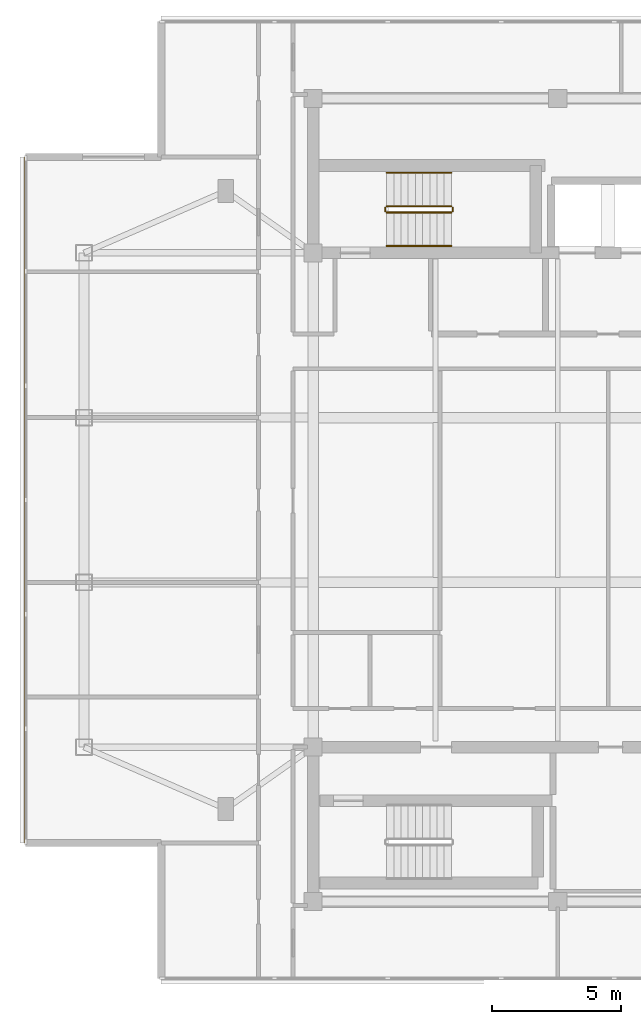
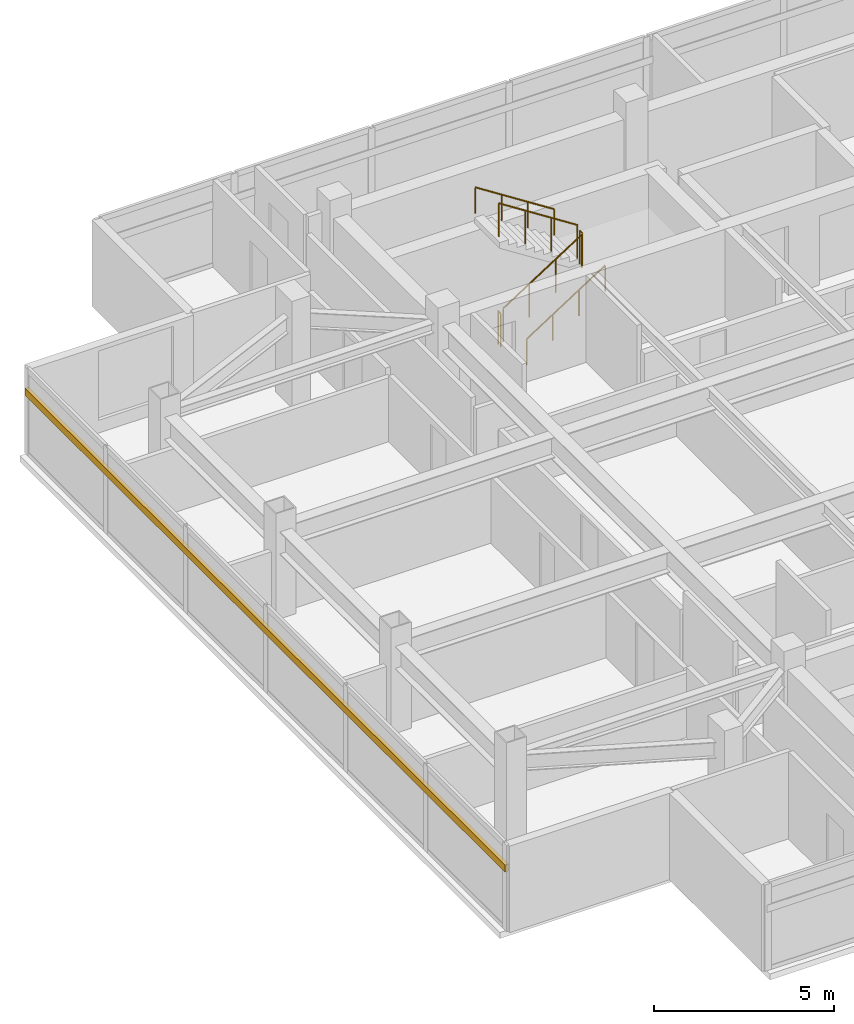
# One storey, part 10 of 11: 6 railings, 1 shading device.
"""IFC4 building model written with IfcOpenShell, lengths in metres."""

import ifcopenshell
import ifcopenshell.guid

model = None  # the IFC model being written
_history = None  # IfcOwnerHistory: only IFC2X3 demands one
_inside = {}  # id of a spatial element -> (the spatial element, [elements in it])
_under = {}  # id of a project, library or spatial element -> (it, [spatial elements below it])
_declared = {}  # id of a project -> (the project, [libraries it declares])
_typed = {}  # id of a type object -> (the type object, [elements of that type])
_made_of = {}  # id of a material, layer set ... -> (it, [elements and type objects made of it])


def new_model(schema):
    """Start an empty IFC model of exactly this schema.

    Asked for "IFC4X3", IfcOpenShell would pick the latest addendum, in which some entities
    have other attributes; the version numbers below select the first issue.
    IFC2X3 requires an IfcOwnerHistory on every rooted entity: one is made here for all.
    """
    global model, _history
    if schema == "IFC4X3":
        model = ifcopenshell.file(schema_version=(4, 3, 0, 0))
    else:
        model = ifcopenshell.file(schema=schema)
    _inside.clear()
    _under.clear()
    _declared.clear()
    _typed.clear()
    _made_of.clear()
    _history = None
    if model.schema == "IFC2X3":
        org = make("IfcOrganization", Name="unknown")
        user = make(
            "IfcPersonAndOrganization",
            ThePerson=make("IfcPerson", FamilyName="unknown"),
            TheOrganization=org,
        )
        app = make(
            "IfcApplication",
            ApplicationDeveloper=org,
            Version="unknown",
            ApplicationFullName="unknown",
            ApplicationIdentifier="unknown",
        )
        _history = make(
            "IfcOwnerHistory",
            OwningUser=user,
            OwningApplication=app,
            ChangeAction="ADDED",
            CreationDate=0,
        )
    return model


def make(cls, **values):
    """One entity of the class cls with the attributes given. An attribute that is None is left unset."""
    return model.create_entity(
        cls, **{name: value for name, value in values.items() if value is not None}
    )


def rooted(cls, **values):
    """An entity with a GlobalId (a new one), such as an element, a storey or a relation."""
    return make(cls, GlobalId=ifcopenshell.guid.new(), OwnerHistory=_history, **values)


def si_unit(unit_type, name, prefix=None):
    """IfcSIUnit, for example si_unit("LENGTHUNIT", "METRE", prefix="MILLI")."""
    return make("IfcSIUnit", UnitType=unit_type, Prefix=prefix, Name=name)


def assignment(units):
    """IfcUnitAssignment: the units of a project."""
    return None if units is None else make("IfcUnitAssignment", Units=units)


def point(xyz):
    """IfcCartesianPoint."""
    return None if xyz is None else make("IfcCartesianPoint", Coordinates=xyz)


def direction(xyz):
    """IfcDirection."""
    return None if xyz is None else make("IfcDirection", DirectionRatios=xyz)


def frame(location, z_axis=None, x_axis=None):
    """IfcAxis2Placement3D, a coordinate frame: its origin and axes. An axis left out is left unset."""
    return make(
        "IfcAxis2Placement3D",
        Location=point(location),
        Axis=direction(z_axis),
        RefDirection=direction(x_axis),
    )


def frame_2d(location, x_axis=None):
    """IfcAxis2Placement2D, a coordinate frame in the plane: its origin and x axis."""
    return make(
        "IfcAxis2Placement2D", Location=point(location), RefDirection=direction(x_axis)
    )


def origin():
    """The frame at (0, 0, 0) with its axes left unset."""
    return frame((0.0, 0.0, 0.0))


def origin_2d():
    """The frame at (0, 0) in the plane with its x axis left unset."""
    return frame_2d((0.0, 0.0))


def place(relative_to, where):
    """IfcLocalPlacement: puts the frame where relative to a parent placement (None: the world)."""
    return make(
        "IfcLocalPlacement", PlacementRelTo=relative_to, RelativePlacement=where
    )


def context(
    kind, dimensions, precision=None, world=None, true_north=None, identifier=None
):
    """IfcGeometricRepresentationContext, for example the 3D "Model" context."""
    return make(
        "IfcGeometricRepresentationContext",
        ContextIdentifier=identifier,
        ContextType=kind,
        CoordinateSpaceDimension=dimensions,
        Precision=precision,
        WorldCoordinateSystem=world,
        TrueNorth=true_north,
    )


def subcontext(parent, identifier, kind, view, scale=None):
    """IfcGeometricRepresentationSubContext, for example "Body" below "Model"."""
    return make(
        "IfcGeometricRepresentationSubContext",
        ContextIdentifier=identifier,
        ContextType=kind,
        ParentContext=parent,
        TargetScale=scale,
        TargetView=view,
    )


def project(units=None, contexts=None):
    """IfcProject with its units and contexts."""
    return rooted(
        "IfcProject",
        Name="project",
        RepresentationContexts=contexts,
        UnitsInContext=assignment(units),
    )


def spatial(cls, under=None, at=None, **own):
    """A site, building, storey or space (cls), placed at a placement, below another one or the project."""
    s = rooted(cls, ObjectPlacement=at, **own)
    if under is not None:
        _under.setdefault(under.id(), (under, []))[1].append(s)
    return s


def profile(cls, at=None, kind="AREA", **sizes):
    """A parametric profile (cls). Its sizes go by their IFC names, for example OverallWidth=200.0."""
    return make(cls, ProfileType=kind, Position=at, **sizes)


def rectangle(**sizes):
    """IfcRectangleProfileDef."""
    return profile("IfcRectangleProfileDef", **sizes)


def circle(**sizes):
    """IfcCircleProfileDef."""
    return profile("IfcCircleProfileDef", **sizes)


def extrude(swept, where, along, depth):
    """IfcExtrudedAreaSolid: the profile swept, set in the frame where, extruded along a direction by depth."""
    return make(
        "IfcExtrudedAreaSolid",
        SweptArea=swept,
        Position=where,
        ExtrudedDirection=direction(along),
        Depth=depth,
    )


def shape(context_of_items, identifier, shape_type, items):
    """IfcShapeRepresentation: the items that make up one representation, for example the "Body"."""
    return make(
        "IfcShapeRepresentation",
        ContextOfItems=context_of_items,
        RepresentationIdentifier=identifier,
        RepresentationType=shape_type,
        Items=items,
    )


def material(Name=None, Category=None):
    """IfcMaterial."""
    return make("IfcMaterial", Name=Name, Category=Category)


def material_profile(
    of_material, cross_section, Name=None, Category=None, Priority=None
):
    """IfcMaterialProfile: a cross section and its material."""
    return make(
        "IfcMaterialProfile",
        Name=Name,
        Material=of_material,
        Profile=cross_section,
        Priority=Priority,
        Category=Category,
    )


def profile_set(profiles, Name=None, composite=None):
    """IfcMaterialProfileSet."""
    return make(
        "IfcMaterialProfileSet",
        Name=Name,
        MaterialProfiles=profiles,
        CompositeProfile=composite,
    )


def made_of(thing, what):
    """Note that an element or type object is made of a material, layer set ...; save() writes the relation."""
    if what is not None:
        _made_of.setdefault(what.id(), (what, []))[1].append(thing)
    return thing


def type_object(cls, material=None, **own):
    """A type object (cls), such as IfcWallType, which elements share."""
    return made_of(rooted(cls, **own), material)


def element(
    cls,
    number,
    at=None,
    inside=None,
    cuts=None,
    type_object=None,
    material=None,
    context=None,
    identifier="Body",
    shape_type=None,
    held_by="IfcProductDefinitionShape",
    body=None,
    shapes=None,
    **own,
):
    """One element of the class cls, such as IfcWall. Its Tag is "e" and its number.

    at: its placement. inside: the storey or other place that contains it. cuts: it is an
    opening in that element (IfcRelVoidsElement). A single representation is given by context,
    identifier, shape_type and body (its items); several are given by shapes. held_by: the class
    of the entity that holds the representations. save() writes the other relations.
    """
    e = rooted(cls, Tag="e%d" % number, ObjectPlacement=at, **own)
    if body is not None:
        shapes = [shape(context, identifier, shape_type, body)]
    if shapes is not None:
        e.Representation = make(held_by, Representations=shapes)
    if inside is not None:
        _inside.setdefault(inside.id(), (inside, []))[1].append(e)
    if cuts is not None:
        rooted(
            "IfcRelVoidsElement", RelatingBuildingElement=cuts, RelatedOpeningElement=e
        )
    if type_object is not None:
        _typed.setdefault(type_object.id(), (type_object, []))[1].append(e)
    return made_of(e, material)


def aggregate(whole, parts):
    """IfcRelAggregates: a whole, such as a stair, and the parts it consists of."""
    return rooted("IfcRelAggregates", RelatingObject=whole, RelatedObjects=parts)


def save(model, path):
    """Write the relations noted so far, then the file.

    IfcRelAggregates (storeys below a building ...), IfcRelContainedInSpatialStructure (elements
    in a storey), IfcRelDefinesByType, IfcRelAssociatesMaterial and IfcRelDeclares: one each for
    every whole, place, type object, material and project.
    """
    for whole, parts in _under.values():
        aggregate(whole, parts)
    for where, things in _inside.values():
        rooted(
            "IfcRelContainedInSpatialStructure",
            RelatedElements=things,
            RelatingStructure=where,
        )
    for kind, things in _typed.values():
        rooted("IfcRelDefinesByType", RelatedObjects=things, RelatingType=kind)
    for what, things in _made_of.values():
        rooted("IfcRelAssociatesMaterial", RelatedObjects=things, RelatingMaterial=what)
    for by, libraries in _declared.values():
        rooted("IfcRelDeclares", RelatingContext=by, RelatedDefinitions=libraries)
    model.write(path)


model = new_model("IFC4")

# Units and contexts
model_context = context("Model", 3, precision=1e-05, world=origin(), true_north=direction((0.0, 1.0)))
body_context = subcontext(model_context, "Body", "Model", "MODEL_VIEW")
ifc_project = project(units=[si_unit("LENGTHUNIT", "METRE"), si_unit("AREAUNIT", "SQUARE_METRE"), si_unit("VOLUMEUNIT", "CUBIC_METRE"), si_unit("PLANEANGLEUNIT", "RADIAN"), si_unit("MASSUNIT", "GRAM", prefix="KILO")], contexts=[model_context])

# Site, building, storey
site_placement = place(None, origin())
site = spatial("IfcSite", under=ifc_project, at=site_placement, CompositionType="ELEMENT")
building_placement = place(site_placement, origin())
building = spatial("IfcBuilding", under=site, at=building_placement, Name="Mirazonda Arch Towers", CompositionType="ELEMENT")
storey_placement = place(building_placement, frame((0.0, 0.0, 259.89990234375)))
storey = spatial("IfcBuildingStorey", under=building, at=storey_placement, Name="L74", CompositionType="ELEMENT", Elevation=259.89990234375)

# Shading device
ifc_material_1 = material(Name="Kiln-Fired Architectural Terracotta", Category="masonry")
ifc_material_profile = material_profile(ifc_material_1, rectangle(XDim=0.1201171875, YDim=0.239990234375, at=origin_2d()), Name="TERRA-BAG-120x240")
ifc_profile_set = profile_set([ifc_material_profile], Name="Kiln-Fired Architectural Terracotta")
shading_device_type = type_object("IfcShadingDeviceType", Name="BAGUETTE-1", PredefinedType="USERDEFINED", material=ifc_profile_set)
shading_device_placement = place(storey_placement, frame((-0.169921875, 41.319091796875, 2.109619140625), z_axis=(0.0, -1.0, 0.0), x_axis=(1.0, 0.0, 0.0)))
element("IfcShadingDevice", 1, at=shading_device_placement, inside=storey, type_object=shading_device_type, Name="L74 Glazed Terracotta Sun-Screen Baguette CW-L74-T1-W", ObjectType="BAGUETTE", PredefinedType="USERDEFINED", context=body_context, shape_type="SweptSolid", body=[
    extrude(rectangle(XDim=0.1201171875, YDim=0.239990234375, at=origin_2d()), origin(), (0.0, 0.0, 1.0), 26.63818359375),
])

# Railings
ifc_material_2 = material(Name="Architectural Brushed Steel S355", Category="steel")
railing_type_1 = type_object("IfcRailingType", Name="GUARD-STAIR-1120", PredefinedType="GUARDRAIL", material=ifc_material_2)
railing_1_placement = place(storey_placement, frame((13.85009765625, 39.169921875, 0.18017578125)))
element("IfcRailing", 2, at=railing_1_placement, inside=storey, type_object=railing_type_1, Name="L74 ST-T1N stair guard 1", PredefinedType="GUARDRAIL", context=body_context, shape_type="SweptSolid", body=[
    extrude(circle(Radius=0.02392578125, at=origin_2d()), frame((0.0, 0.0, 1.1259765625), z_axis=(0.841199657755, 0.0, 0.540724639528), x_axis=(0.0, 1.0, 0.0)), (0.0, 0.0, 1.0), 2.995849609375),
    extrude(circle(Radius=0.02099609375, at=origin_2d()), origin(), (0.0, 0.0, 1.0), 1.101806640625),
    extrude(circle(Radius=0.02099609375, at=origin_2d()), frame((0.840087890625, 0.0, 0.5400390625)), (0.0, 0.0, 1.0), 1.101806640625),
    extrude(circle(Radius=0.02099609375, at=origin_2d()), frame((1.679931640625, 0.0, 1.079833984375)), (0.0, 0.0, 1.0), 1.101806640625),
    extrude(circle(Radius=0.02099609375, at=origin_2d()), frame((2.52001953125, 0.0, 1.619873046875)), (0.0, 0.0, 1.0), 1.101806640625),
])
railing_2_placement = place(storey_placement, frame((16.419921875, 39.219970703125, 1.800048828125)))
element("IfcRailing", 3, at=railing_2_placement, inside=storey, type_object=railing_type_1, Name="L74 ST-T1N stair guard 2", PredefinedType="GUARDRAIL", context=body_context, shape_type="SweptSolid", body=[
    extrude(circle(Radius=0.02392578125, at=origin_2d()), frame((0.0, 0.0, 1.1259765625), z_axis=(0.0, 1.0, 0.0), x_axis=(-1.0, 0.0, 0.0)), (0.0, 0.0, 1.0), 0.14013671875),
    extrude(circle(Radius=0.02099609375, at=origin_2d()), origin(), (0.0, 0.0, 1.0), 1.101806640625),
    extrude(circle(Radius=0.02099609375, at=origin_2d()), frame((0.0, 0.14013671875, 0.0)), (0.0, 0.0, 1.0), 1.101806640625),
])
railing_3_placement = place(storey_placement, frame((16.3701171875, 39.409912109375, 1.97998046875)))
element("IfcRailing", 4, at=railing_3_placement, inside=storey, type_object=railing_type_1, Name="L74 ST-T1N stair guard 3", PredefinedType="GUARDRAIL", context=body_context, shape_type="SweptSolid", body=[
    extrude(circle(Radius=0.02392578125, at=origin_2d()), frame((0.0, 0.0, 1.1259765625), z_axis=(-0.841162588446, 0.0, 0.540782303519), x_axis=(0.0, -1.0, 0.0)), (0.0, 0.0, 1.0), 2.995849609375),
    extrude(circle(Radius=0.02099609375, at=origin_2d()), origin(), (0.0, 0.0, 1.0), 1.101806640625),
    extrude(circle(Radius=0.02099609375, at=origin_2d()), frame((-0.840087890625, 0.0, 0.5400390625)), (0.0, 0.0, 1.0), 1.101806640625),
    extrude(circle(Radius=0.02099609375, at=origin_2d()), frame((-1.679931640625, 0.0, 1.080078125)), (0.0, 0.0, 1.0), 1.101806640625),
    extrude(circle(Radius=0.02099609375, at=origin_2d()), frame((-2.52001953125, 0.0, 1.6201171875)), (0.0, 0.0, 1.0), 1.101806640625),
])
railing_4_placement = place(storey_placement, frame((13.800048828125, 39.219970703125, 0.0)))
element("IfcRailing", 5, at=railing_4_placement, inside=storey, type_object=railing_type_1, Name="L74 ST-T1N stair guard 4", PredefinedType="GUARDRAIL", context=body_context, shape_type="SweptSolid", body=[
    extrude(circle(Radius=0.02392578125, at=origin_2d()), frame((0.0, 0.0, 1.1259765625), z_axis=(0.0, 1.0, 0.0), x_axis=(-1.0, 0.0, 0.0)), (0.0, 0.0, 1.0), 0.14013671875),
    extrude(circle(Radius=0.02099609375, at=origin_2d()), origin(), (0.0, 0.0, 1.0), 1.101806640625),
    extrude(circle(Radius=0.02099609375, at=origin_2d()), frame((0.0, 0.14013671875, 0.0)), (0.0, 0.0, 1.0), 1.101806640625),
])
railing_type_2 = type_object("IfcRailingType", Name="HANDRAIL-915", PredefinedType="HANDRAIL", material=ifc_material_2)
railing_5_placement = place(storey_placement, frame((13.85009765625, 37.8701171875, 0.18017578125)))
element("IfcRailing", 6, at=railing_5_placement, inside=storey, type_object=railing_type_2, Name="L74 ST-T1N stair handrail 1", PredefinedType="HANDRAIL", context=body_context, shape_type="SweptSolid", body=[
    extrude(circle(Radius=0.02392578125, at=origin_2d()), frame((0.0, 0.0, 0.8759765625), z_axis=(0.841199657755, 0.0, 0.540724639528), x_axis=(0.0, 1.0, 0.0)), (0.0, 0.0, 1.0), 2.995849609375),
    extrude(circle(Radius=0.02099609375, at=origin_2d()), origin(), (0.0, 0.0, 1.0), 0.851806640625),
    extrude(circle(Radius=0.02099609375, at=origin_2d()), frame((0.840087890625, 0.0, 0.5400390625)), (0.0, 0.0, 1.0), 0.851806640625),
    extrude(circle(Radius=0.02099609375, at=origin_2d()), frame((1.679931640625, 0.0, 1.079833984375)), (0.0, 0.0, 1.0), 0.851806640625),
    extrude(circle(Radius=0.02099609375, at=origin_2d()), frame((2.52001953125, 0.0, 1.619873046875)), (0.0, 0.0, 1.0), 0.851806640625),
])
railing_6_placement = place(storey_placement, frame((16.3701171875, 40.7099609375, 1.97998046875)))
element("IfcRailing", 7, at=railing_6_placement, inside=storey, type_object=railing_type_2, Name="L74 ST-T1N stair handrail 2", PredefinedType="HANDRAIL", context=body_context, shape_type="SweptSolid", body=[
    extrude(circle(Radius=0.02392578125, at=origin_2d()), frame((0.0, 0.0, 0.8759765625), z_axis=(-0.841162588446, 0.0, 0.540782303519), x_axis=(0.0, -1.0, 0.0)), (0.0, 0.0, 1.0), 2.995849609375),
    extrude(circle(Radius=0.02099609375, at=origin_2d()), origin(), (0.0, 0.0, 1.0), 0.851806640625),
    extrude(circle(Radius=0.02099609375, at=origin_2d()), frame((-0.840087890625, 0.0, 0.5400390625)), (0.0, 0.0, 1.0), 0.851806640625),
    extrude(circle(Radius=0.02099609375, at=origin_2d()), frame((-1.679931640625, 0.0, 1.080078125)), (0.0, 0.0, 1.0), 0.851806640625),
    extrude(circle(Radius=0.02099609375, at=origin_2d()), frame((-2.52001953125, 0.0, 1.6201171875)), (0.0, 0.0, 1.0), 0.851806640625),
])

save(model, "model.ifc")
